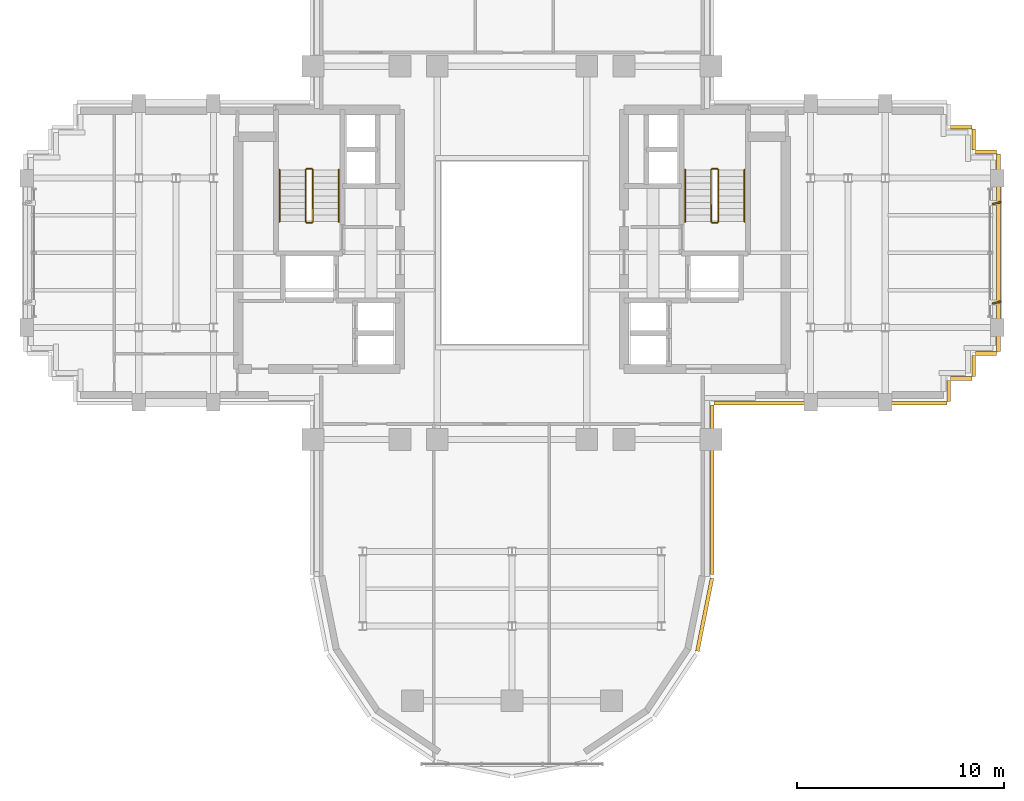
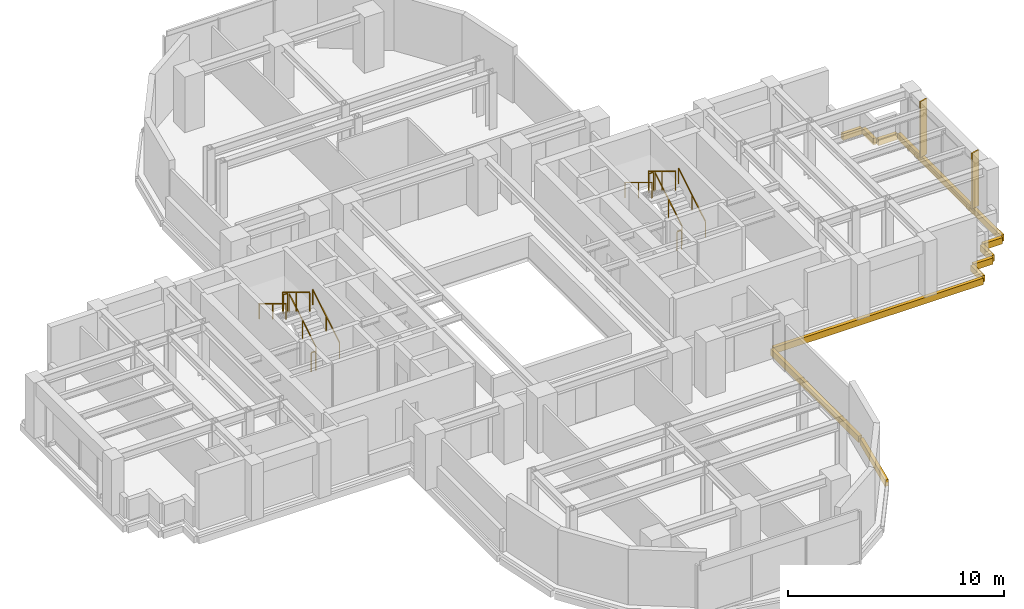
# One storey, part 12 of 13: 12 railings, 11 coverings, 2 shading devices.
"""IFC4 building model written with IfcOpenShell, lengths in metres."""

from ifc_helpers import new_model, si_unit, direction, frame, origin, origin_2d, place, context, subcontext, project, spatial, rectangle, extrude, source, transform, mapped, material, layer, layer_set, type_object, element, save


model = new_model("IFC4")

# Units and contexts
model_context = context("Model", 3, precision=1e-05, world=origin(), true_north=direction((0.0, 1.0)))
body_context = subcontext(model_context, "Body", "Model", "MODEL_VIEW")
ifc_project = project(units=[si_unit("LENGTHUNIT", "METRE"), si_unit("AREAUNIT", "SQUARE_METRE"), si_unit("VOLUMEUNIT", "CUBIC_METRE"), si_unit("PLANEANGLEUNIT", "RADIAN"), si_unit("MASSUNIT", "GRAM", prefix="KILO")], contexts=[model_context])

# Site, building, storey
site_placement = place(None, origin())
site = spatial("IfcSite", under=ifc_project, at=site_placement, CompositionType="ELEMENT")
building_placement = place(site_placement, origin())
building = spatial("IfcBuilding", under=site, at=building_placement, Name="Keilestroom Media Tower", CompositionType="ELEMENT")
storey_placement = place(building_placement, frame((0.0, 0.0, 148.199951171875)))
storey = spatial("IfcBuildingStorey", under=building, at=storey_placement, Name="L40", CompositionType="ELEMENT", Elevation=148.199951171875)

# Railings
ifc_material_1 = material(Name="Brushed Stainless Steel 1.4301", Category="steel")
railing_type_1 = type_object("IfcRailingType", Name="Stair-Pitch-Handrail-920", PredefinedType="HANDRAIL", material=ifc_material_1)
railing_1_placement = place(storey_placement, frame((-8.35009765625, 1.5, 0.18896484375)))
element("IfcRailing", 1, at=railing_1_placement, inside=storey, type_object=railing_type_1, Name="L40 ST-1 stair handrail 1", PredefinedType="HANDRAIL", context=body_context, shape_type="SweptSolid", body=[
    extrude(rectangle(XDim=0.048095703125, YDim=0.048095703125, at=origin_2d()), frame((0.0, 0.0, 0.8759765625), z_axis=(0.0, 0.855470815493, 0.517851024754), x_axis=(-1.0, 0.0, 0.0)), (0.0, 0.0, 1.0), 2.917724609375),
    extrude(rectangle(XDim=0.0419921875, YDim=0.0419921875, at=origin_2d()), origin(), (0.0, 0.0, 1.0), 0.84375),
    extrude(rectangle(XDim=0.0419921875, YDim=0.0419921875, at=origin_2d()), frame((0.0, 1.248046875, 0.75537109375)), (0.0, 0.0, 1.0), 0.84375),
    extrude(rectangle(XDim=0.0419921875, YDim=0.0419921875, at=origin_2d()), frame((0.0, 2.49609375, 1.510986328125)), (0.0, 0.0, 1.0), 0.84375),
])
railing_2_placement = place(storey_placement, frame((-11.2099609375, 3.99609375, 1.888916015625)))
element("IfcRailing", 2, at=railing_2_placement, inside=storey, type_object=railing_type_1, Name="L40 ST-1 stair handrail 2", PredefinedType="HANDRAIL", context=body_context, shape_type="SweptSolid", body=[
    extrude(rectangle(XDim=0.048095703125, YDim=0.048095703125, at=origin_2d()), frame((0.0, 0.0, 0.8759765625), z_axis=(0.0, -0.855433747314, 0.517912255074), x_axis=(1.0, 0.0, 0.0)), (0.0, 0.0, 1.0), 2.91796875),
    extrude(rectangle(XDim=0.0419921875, YDim=0.0419921875, at=origin_2d()), origin(), (0.0, 0.0, 1.0), 0.84375),
    extrude(rectangle(XDim=0.0419921875, YDim=0.0419921875, at=origin_2d()), frame((0.0, -1.248046875, 0.755615234375)), (0.0, 0.0, 1.0), 0.84375),
    extrude(rectangle(XDim=0.0419921875, YDim=0.0419921875, at=origin_2d()), frame((0.0, -2.49609375, 1.51123046875)), (0.0, 0.0, 1.0), 0.84375),
])
railing_3_placement = place(storey_placement, frame((11.2099609375, 1.5, 0.18896484375)))
element("IfcRailing", 3, at=railing_3_placement, inside=storey, type_object=railing_type_1, Name="L40 ST-2 stair handrail 1", PredefinedType="HANDRAIL", context=body_context, shape_type="SweptSolid", body=[
    extrude(rectangle(XDim=0.048095703125, YDim=0.048095703125, at=origin_2d()), frame((0.0, 0.0, 0.8759765625), z_axis=(0.0, 0.855470815493, 0.517851024754), x_axis=(-1.0, 0.0, 0.0)), (0.0, 0.0, 1.0), 2.917724609375),
    extrude(rectangle(XDim=0.0419921875, YDim=0.0419921875, at=origin_2d()), origin(), (0.0, 0.0, 1.0), 0.84375),
    extrude(rectangle(XDim=0.0419921875, YDim=0.0419921875, at=origin_2d()), frame((0.0, 1.248046875, 0.75537109375)), (0.0, 0.0, 1.0), 0.84375),
    extrude(rectangle(XDim=0.0419921875, YDim=0.0419921875, at=origin_2d()), frame((0.0, 2.49609375, 1.510986328125)), (0.0, 0.0, 1.0), 0.84375),
])
railing_4_placement = place(storey_placement, frame((8.35009765625, 3.99609375, 1.888916015625)))
element("IfcRailing", 4, at=railing_4_placement, inside=storey, type_object=railing_type_1, Name="L40 ST-2 stair handrail 2", PredefinedType="HANDRAIL", context=body_context, shape_type="SweptSolid", body=[
    extrude(rectangle(XDim=0.048095703125, YDim=0.048095703125, at=origin_2d()), frame((0.0, 0.0, 0.8759765625), z_axis=(0.0, -0.855433747314, 0.517912255074), x_axis=(1.0, 0.0, 0.0)), (0.0, 0.0, 1.0), 2.91796875),
    extrude(rectangle(XDim=0.0419921875, YDim=0.0419921875, at=origin_2d()), origin(), (0.0, 0.0, 1.0), 0.84375),
    extrude(rectangle(XDim=0.0419921875, YDim=0.0419921875, at=origin_2d()), frame((0.0, -1.248046875, 0.755615234375)), (0.0, 0.0, 1.0), 0.84375),
    extrude(rectangle(XDim=0.0419921875, YDim=0.0419921875, at=origin_2d()), frame((0.0, -2.49609375, 1.51123046875)), (0.0, 0.0, 1.0), 0.84375),
])
ifc_material_2 = material(Name="Painted Steel Balustrade", Category="steel")
railing_type_2 = type_object("IfcRailingType", Name="Stair-Well-And-Landing-Guard-1100", PredefinedType="GUARDRAIL", material=ifc_material_2)
railing_5_placement = place(storey_placement, frame((-9.610107421875, 1.5, 0.18896484375)))
element("IfcRailing", 5, at=railing_5_placement, inside=storey, type_object=railing_type_2, Name="L40 ST-1 stair guard 1", PredefinedType="GUARDRAIL", context=body_context, shape_type="SweptSolid", body=[
    extrude(rectangle(XDim=0.048095703125, YDim=0.048095703125, at=origin_2d()), frame((0.0, 0.0, 1.076171875), z_axis=(0.0, 0.855470815493, 0.517851024754), x_axis=(-1.0, 0.0, 0.0)), (0.0, 0.0, 1.0), 2.917724609375),
    extrude(rectangle(XDim=0.0419921875, YDim=0.0419921875, at=origin_2d()), origin(), (0.0, 0.0, 1.0), 1.0439453125),
    extrude(rectangle(XDim=0.0419921875, YDim=0.0419921875, at=origin_2d()), frame((0.0, 1.248046875, 0.75537109375)), (0.0, 0.0, 1.0), 1.0439453125),
    extrude(rectangle(XDim=0.0419921875, YDim=0.0419921875, at=origin_2d()), frame((0.0, 2.49609375, 1.510986328125)), (0.0, 0.0, 1.0), 1.0439453125),
])
railing_6_placement = place(storey_placement, frame((-9.659912109375, 4.0458984375, 1.699951171875)))
element("IfcRailing", 6, at=railing_6_placement, inside=storey, type_object=railing_type_2, Name="L40 ST-1 stair guard 2", PredefinedType="GUARDRAIL", context=body_context, shape_type="SweptSolid", body=[
    extrude(rectangle(XDim=0.048095703125, YDim=0.048095703125, at=origin_2d()), frame((0.0, 0.0, 1.076171875), z_axis=(-1.0, 0.0, 0.0), x_axis=(0.0, -1.0, 0.0)), (0.0, 0.0, 1.0), 0.239990234375),
    extrude(rectangle(XDim=0.0419921875, YDim=0.0419921875, at=origin_2d()), origin(), (0.0, 0.0, 1.0), 1.0439453125),
    extrude(rectangle(XDim=0.0419921875, YDim=0.0419921875, at=origin_2d()), frame((-0.239990234375, 0.0, 0.0)), (0.0, 0.0, 1.0), 1.0439453125),
])
railing_7_placement = place(storey_placement, frame((-9.949951171875, 3.99609375, 1.888916015625)))
element("IfcRailing", 7, at=railing_7_placement, inside=storey, type_object=railing_type_2, Name="L40 ST-1 stair guard 3", PredefinedType="GUARDRAIL", context=body_context, shape_type="SweptSolid", body=[
    extrude(rectangle(XDim=0.048095703125, YDim=0.048095703125, at=origin_2d()), frame((0.0, 0.0, 1.076171875), z_axis=(0.0, -0.855433747314, 0.517912255074), x_axis=(1.0, 0.0, 0.0)), (0.0, 0.0, 1.0), 2.91796875),
    extrude(rectangle(XDim=0.0419921875, YDim=0.0419921875, at=origin_2d()), origin(), (0.0, 0.0, 1.0), 1.0439453125),
    extrude(rectangle(XDim=0.0419921875, YDim=0.0419921875, at=origin_2d()), frame((0.0, -1.248046875, 0.755615234375)), (0.0, 0.0, 1.0), 1.0439453125),
    extrude(rectangle(XDim=0.0419921875, YDim=0.0419921875, at=origin_2d()), frame((0.0, -2.49609375, 1.51123046875)), (0.0, 0.0, 1.0), 1.0439453125),
])
railing_8_placement = place(storey_placement, frame((-9.659912109375, 1.449951171875, 0.0)))
element("IfcRailing", 8, at=railing_8_placement, inside=storey, type_object=railing_type_2, Name="L40 ST-1 stair guard 4", PredefinedType="GUARDRAIL", context=body_context, shape_type="SweptSolid", body=[
    extrude(rectangle(XDim=0.048095703125, YDim=0.048095703125, at=origin_2d()), frame((0.0, 0.0, 1.076171875), z_axis=(-1.0, 0.0, 0.0), x_axis=(0.0, -1.0, 0.0)), (0.0, 0.0, 1.0), 0.239990234375),
    extrude(rectangle(XDim=0.0419921875, YDim=0.0419921875, at=origin_2d()), origin(), (0.0, 0.0, 1.0), 1.0439453125),
    extrude(rectangle(XDim=0.0419921875, YDim=0.0419921875, at=origin_2d()), frame((-0.239990234375, 0.0, 0.0)), (0.0, 0.0, 1.0), 1.0439453125),
])
railing_9_placement = place(storey_placement, frame((9.949951171875, 1.5, 0.18896484375)))
element("IfcRailing", 9, at=railing_9_placement, inside=storey, type_object=railing_type_2, Name="L40 ST-2 stair guard 1", PredefinedType="GUARDRAIL", context=body_context, shape_type="SweptSolid", body=[
    extrude(rectangle(XDim=0.048095703125, YDim=0.048095703125, at=origin_2d()), frame((0.0, 0.0, 1.076171875), z_axis=(0.0, 0.855470815493, 0.517851024754), x_axis=(-1.0, 0.0, 0.0)), (0.0, 0.0, 1.0), 2.917724609375),
    extrude(rectangle(XDim=0.0419921875, YDim=0.0419921875, at=origin_2d()), origin(), (0.0, 0.0, 1.0), 1.0439453125),
    extrude(rectangle(XDim=0.0419921875, YDim=0.0419921875, at=origin_2d()), frame((0.0, 1.248046875, 0.75537109375)), (0.0, 0.0, 1.0), 1.0439453125),
    extrude(rectangle(XDim=0.0419921875, YDim=0.0419921875, at=origin_2d()), frame((0.0, 2.49609375, 1.510986328125)), (0.0, 0.0, 1.0), 1.0439453125),
])
railing_10_placement = place(storey_placement, frame((9.89990234375, 4.0458984375, 1.699951171875)))
element("IfcRailing", 10, at=railing_10_placement, inside=storey, type_object=railing_type_2, Name="L40 ST-2 stair guard 2", PredefinedType="GUARDRAIL", context=body_context, shape_type="SweptSolid", body=[
    extrude(rectangle(XDim=0.048095703125, YDim=0.048095703125, at=origin_2d()), frame((0.0, 0.0, 1.076171875), z_axis=(-1.0, 0.0, 0.0), x_axis=(0.0, -1.0, 0.0)), (0.0, 0.0, 1.0), 0.239990234375),
    extrude(rectangle(XDim=0.0419921875, YDim=0.0419921875, at=origin_2d()), origin(), (0.0, 0.0, 1.0), 1.0439453125),
    extrude(rectangle(XDim=0.0419921875, YDim=0.0419921875, at=origin_2d()), frame((-0.239990234375, 0.0, 0.0)), (0.0, 0.0, 1.0), 1.0439453125),
])
railing_11_placement = place(storey_placement, frame((9.610107421875, 3.99609375, 1.888916015625)))
element("IfcRailing", 11, at=railing_11_placement, inside=storey, type_object=railing_type_2, Name="L40 ST-2 stair guard 3", PredefinedType="GUARDRAIL", context=body_context, shape_type="SweptSolid", body=[
    extrude(rectangle(XDim=0.048095703125, YDim=0.048095703125, at=origin_2d()), frame((0.0, 0.0, 1.076171875), z_axis=(0.0, -0.855433747314, 0.517912255074), x_axis=(1.0, 0.0, 0.0)), (0.0, 0.0, 1.0), 2.91796875),
    extrude(rectangle(XDim=0.0419921875, YDim=0.0419921875, at=origin_2d()), origin(), (0.0, 0.0, 1.0), 1.0439453125),
    extrude(rectangle(XDim=0.0419921875, YDim=0.0419921875, at=origin_2d()), frame((0.0, -1.248046875, 0.755615234375)), (0.0, 0.0, 1.0), 1.0439453125),
    extrude(rectangle(XDim=0.0419921875, YDim=0.0419921875, at=origin_2d()), frame((0.0, -2.49609375, 1.51123046875)), (0.0, 0.0, 1.0), 1.0439453125),
])
railing_12_placement = place(storey_placement, frame((9.89990234375, 1.449951171875, 0.0)))
element("IfcRailing", 12, at=railing_12_placement, inside=storey, type_object=railing_type_2, Name="L40 ST-2 stair guard 4", PredefinedType="GUARDRAIL", context=body_context, shape_type="SweptSolid", body=[
    extrude(rectangle(XDim=0.048095703125, YDim=0.048095703125, at=origin_2d()), frame((0.0, 0.0, 1.076171875), z_axis=(-1.0, 0.0, 0.0), x_axis=(0.0, -1.0, 0.0)), (0.0, 0.0, 1.0), 0.239990234375),
    extrude(rectangle(XDim=0.0419921875, YDim=0.0419921875, at=origin_2d()), origin(), (0.0, 0.0, 1.0), 1.0439453125),
    extrude(rectangle(XDim=0.0419921875, YDim=0.0419921875, at=origin_2d()), frame((-0.239990234375, 0.0, 0.0)), (0.0, 0.0, 1.0), 1.0439453125),
])

# Shading devices
ifc_material_3 = material(Name="Bronze Anodised Aluminium", Category="aluminium")
shading_device_type = type_object("IfcShadingDeviceType", Name="Facade-Vertical-Sunshade-Fin-SHD-1", PredefinedType="USERDEFINED", material=ifc_material_3)
shared_shape_1 = source(origin(), body_context, "Body", "SweptSolid", [
    extrude(rectangle(XDim=0.419921875, YDim=0.080078125, at=origin_2d()), origin(), (0.0, 0.0, 1.0), 3.139892578125),
])
for number, where, z_axis, x_axis, name in (
    (13, (23.3701171875, -2.39990234375, 0.0), (0.0, 0.0, 1.0), (0.970295726276, 0.2419218956, 0.0), "L40 Twisting Sunshade Fin SHD-1 055"),
    (14, (23.3701171875, 2.39990234375, 0.0), (0.0, 0.0, 1.0), (0.970295726276, 0.2419218956, 0.0), "L40 Twisting Sunshade Fin SHD-1 056"),
):
    element("IfcShadingDevice", number, at=place(storey_placement, frame(where, z_axis=z_axis, x_axis=x_axis)), inside=storey, type_object=shading_device_type, Name=name, ObjectType="SUNSHADE", PredefinedType="USERDEFINED", context=body_context, shape_type="MappedRepresentation", body=[
        mapped(shared_shape_1, transform((0.0, 0.0, 0.0), x_axis=(1.0, 0.0, 0.0), y_axis=(0.0, 1.0, 0.0), z_axis=(0.0, 0.0, 1.0), scale=1.0)),
    ])

# Coverings
ifc_material_4 = material(Name="Precast concrete C40/50", Category="concrete")
ifc_layer = layer(ifc_material_4, 0.1201171875)
ifc_layer_set = layer_set([ifc_layer], Name="Precast concrete C40/50")
covering_type = type_object("IfcCoveringType", Name="Exterior-Precast-Spandrel-Cladding-Panel-120", PredefinedType="CLADDING", material=ifc_layer_set)
shared_shape_2 = source(origin(), body_context, "Body", "SweptSolid", [
    extrude(rectangle(XDim=1.02001953125, YDim=0.179931640625, at=origin_2d()), origin(), (0.0, 0.0, 1.0), 0.360107421875),
])
for number, where, z_axis, x_axis, name in (
    (15, (22.860107421875, -4.860107421875, -0.5400390625), (0.0, 0.0, 1.0), (-1.0, 0.0, 0.0), "L40 Precast Slab-Edge Fascia Cornice 01"),
    (16, (22.260009765625, -5.4599609375, -0.5400390625), (0.0, 0.0, 1.0), (0.0, -1.0, 0.0), "L40 Precast Slab-Edge Fascia Cornice 02"),
    (17, (21.659912109375, -6.06005859375, -0.5400390625), (0.0, 0.0, 1.0), (-1.0, 0.0, 0.0), "L40 Precast Slab-Edge Fascia Cornice 03"),
    (18, (21.06005859375, -6.659912109375, -0.5400390625), (0.0, 0.0, 1.0), (0.0, -1.0, 0.0), "L40 Precast Slab-Edge Fascia Cornice 04"),
    (19, (21.659912109375, 6.06005859375, -0.5400390625), (0.0, 0.0, 1.0), (1.0, 0.0, 0.0), "L40 Precast Slab-Edge Fascia Cornice 39"),
    (20, (22.260009765625, 5.4599609375, -0.5400390625), (0.0, 0.0, 1.0), (0.0, -1.0, 0.0), "L40 Precast Slab-Edge Fascia Cornice 40"),
    (21, (22.860107421875, 4.860107421875, -0.5400390625), (0.0, 0.0, 1.0), (1.0, 0.0, 0.0), "L40 Precast Slab-Edge Fascia Cornice 41"),
):
    element("IfcCovering", number, at=place(storey_placement, frame(where, z_axis=z_axis, x_axis=x_axis)), inside=storey, type_object=covering_type, Name=name, PredefinedType="CLADDING", context=body_context, shape_type="MappedRepresentation", body=[
        mapped(shared_shape_2, transform((0.0, 0.0, 0.0), x_axis=(1.0, 0.0, 0.0), y_axis=(0.0, 1.0, 0.0), z_axis=(0.0, 0.0, 1.0), scale=1.0)),
    ])
shared_shape_3 = source(origin(), body_context, "Body", "SweptSolid", [
    extrude(rectangle(XDim=8.166015625, YDim=0.179931640625, at=origin_2d()), origin(), (0.0, 0.0, 1.0), 0.360107421875),
])
covering_1_placement = place(storey_placement, frame((9.659912109375, -11.43310546875, -0.5400390625), z_axis=(0.0, 0.0, 1.0), x_axis=(0.0, -1.0, 0.0)))
element("IfcCovering", 22, at=covering_1_placement, inside=storey, type_object=covering_type, Name="L40 Precast Slab-Edge Fascia Cornice 06", PredefinedType="CLADDING", context=body_context, shape_type="MappedRepresentation", body=[
    mapped(shared_shape_3, transform((0.0, 0.0, 0.0), x_axis=(1.0, 0.0, 0.0), y_axis=(0.0, 1.0, 0.0), z_axis=(0.0, 0.0, 1.0), scale=1.0)),
])
shared_shape_4 = source(origin(), body_context, "Body", "SweptSolid", [
    extrude(rectangle(XDim=3.58349609375, YDim=0.179931640625, at=origin_2d()), origin(), (0.0, 0.0, 1.0), 0.360107421875),
])
covering_2_placement = place(storey_placement, frame((9.29296875, -17.45166015625, -0.5400390625), z_axis=(0.0, 0.0, 1.0), x_axis=(-0.195098880975, -0.980783577882, 0.0)))
element("IfcCovering", 23, at=covering_2_placement, inside=storey, type_object=covering_type, Name="L40 Precast Slab-Edge Fascia Cornice 07", PredefinedType="CLADDING", context=body_context, shape_type="MappedRepresentation", body=[
    mapped(shared_shape_4, transform((0.0, 0.0, 0.0), x_axis=(1.0, 0.0, 0.0), y_axis=(0.0, 1.0, 0.0), z_axis=(0.0, 0.0, 1.0), scale=1.0)),
])
shared_shape_5 = source(origin(), body_context, "Body", "SweptSolid", [
    extrude(rectangle(XDim=9.5400390625, YDim=0.179931640625, at=origin_2d()), origin(), (0.0, 0.0, 1.0), 0.360107421875),
])
covering_3_placement = place(storey_placement, frame((23.4599609375, 0.0, -0.5400390625), z_axis=(0.0, 0.0, 1.0), x_axis=(0.0, -1.0, 0.0)))
element("IfcCovering", 24, at=covering_3_placement, inside=storey, type_object=covering_type, Name="L40 Precast Slab-Edge Fascia Cornice 42", PredefinedType="CLADDING", context=body_context, shape_type="MappedRepresentation", body=[
    mapped(shared_shape_5, transform((0.0, 0.0, 0.0), x_axis=(1.0, 0.0, 0.0), y_axis=(0.0, 1.0, 0.0), z_axis=(0.0, 0.0, 1.0), scale=1.0)),
])
shared_shape_6 = source(origin(), body_context, "Body", "SweptSolid", [
    extrude(rectangle(XDim=11.219970703125, YDim=0.179931640625, at=origin_2d()), origin(), (0.0, 0.0, 1.0), 0.360107421875),
])
covering_4_placement = place(storey_placement, frame((15.360107421875, -7.260009765625, -0.5400390625), z_axis=(0.0, 0.0, 1.0), x_axis=(-1.0, 0.0, 0.0)))
element("IfcCovering", 25, at=covering_4_placement, inside=storey, type_object=covering_type, Name="L40 Precast Slab-Edge Fascia Cornice 05", PredefinedType="CLADDING", context=body_context, shape_type="MappedRepresentation", body=[
    mapped(shared_shape_6, transform((0.0, 0.0, 0.0), x_axis=(1.0, 0.0, 0.0), y_axis=(0.0, 1.0, 0.0), z_axis=(0.0, 0.0, 1.0), scale=1.0)),
])

save(model, "model.ifc")
